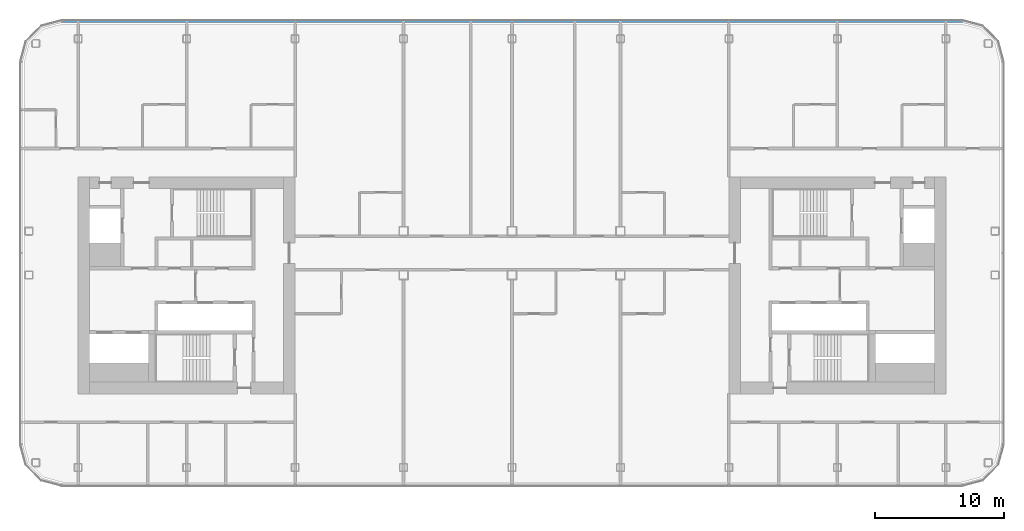
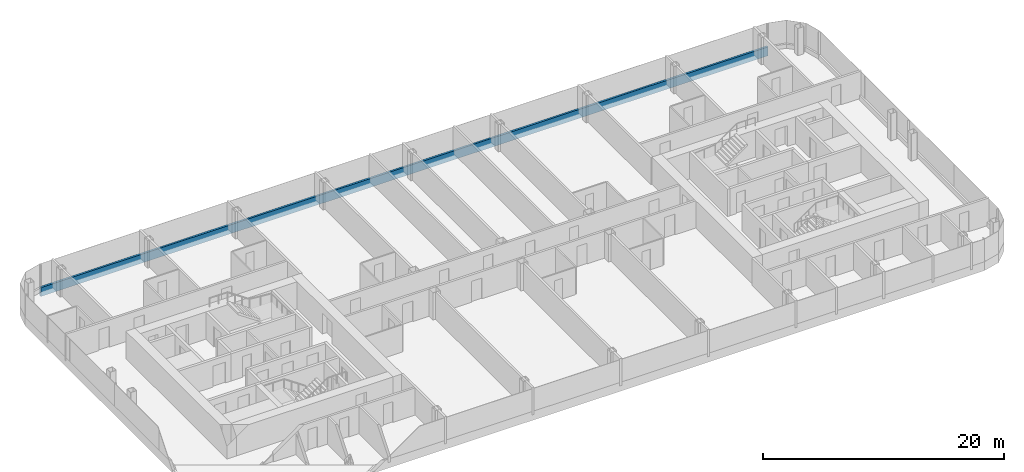
# One storey, part 8 of 25: 1 member, 1 element without a shape of its own.
"""IFC4 building model written with IfcOpenShell, lengths in metres."""

from ifc_helpers import new_model, si_unit, direction, frame, origin, origin_2d, place, context, subcontext, project, spatial, rectangle, extrude, material, layer, layer_set, material_profile, profile_set, type_object, element, aggregate, save


model = new_model("IFC4")

# Units and contexts
model_context = context("Model", 3, precision=1e-05, world=origin(), true_north=direction((0.0, 1.0)))
body_context = subcontext(model_context, "Body", "Model", "MODEL_VIEW")
ifc_project = project(units=[si_unit("LENGTHUNIT", "METRE"), si_unit("AREAUNIT", "SQUARE_METRE"), si_unit("VOLUMEUNIT", "CUBIC_METRE"), si_unit("PLANEANGLEUNIT", "RADIAN"), si_unit("MASSUNIT", "GRAM", prefix="KILO")], contexts=[model_context])

# Site, building, storey
site_placement = place(None, origin())
site = spatial("IfcSite", under=ifc_project, at=site_placement, CompositionType="ELEMENT")
building_placement = place(site_placement, origin())
building = spatial("IfcBuilding", under=site, at=building_placement, Name="Hakoniwa Tower and Hamabe Station Hall", CompositionType="ELEMENT")
storey_placement = place(building_placement, frame((0.0, 0.0, 186.60009765625)))
storey = spatial("IfcBuildingStorey", under=building, at=storey_placement, Name="L52", CompositionType="ELEMENT", Elevation=186.60009765625)

# Curtain wall, member
ifc_material_1 = material(Name="Dark low-e laminated glass", Category="glass")
ifc_layer = layer(ifc_material_1, 0.199951171875)
ifc_layer_set = layer_set([ifc_layer], Name="CW-1 UNITISED GUEST")
curtain_wall_type = type_object("IfcCurtainWallType", Name="CW-1 UNITISED GUEST", PredefinedType="NOTDEFINED", material=ifc_layer_set)
curtain_wall_placement = place(storey_placement, origin())
curtain_wall = element("IfcCurtainWall", 1, at=curtain_wall_placement, inside=storey, type_object=curtain_wall_type, Name="CW-1 curtain wall", PredefinedType="NOTDEFINED")
ifc_material_2 = material(Name="Aluminium 6063-T5 black anodised", Category="aluminium")
ifc_material_profile = material_profile(ifc_material_2, rectangle(XDim=0.199951171875, YDim=0.89990234375, at=origin_2d()), Name="CW SLAB-EDGE BAND 900X200")
ifc_profile_set = profile_set([ifc_material_profile], Name="Aluminium 6063-T5 black anodised")
member_type = type_object("IfcMemberType", Name="CW SLAB-EDGE BAND 900X200", PredefinedType="USERDEFINED", material=ifc_profile_set)
member_placement = place(storey_placement, frame((34.839599609375, 20.449951171875, -0.10009765625), z_axis=(-1.0, 0.0, 0.0), x_axis=(0.0, -1.0, 0.0)))
member = element("IfcMember", 2, at=member_placement, type_object=member_type, Name="CW-1 transom", ObjectType="TRANSOM", PredefinedType="USERDEFINED", context=body_context, shape_type="SweptSolid", body=[
    extrude(rectangle(XDim=0.199951171875, YDim=0.89990234375, at=origin_2d()), origin(), (0.0, 0.0, 1.0), 69.67919921875),
])
aggregate(curtain_wall, [member])

save(model, "model.ifc")
